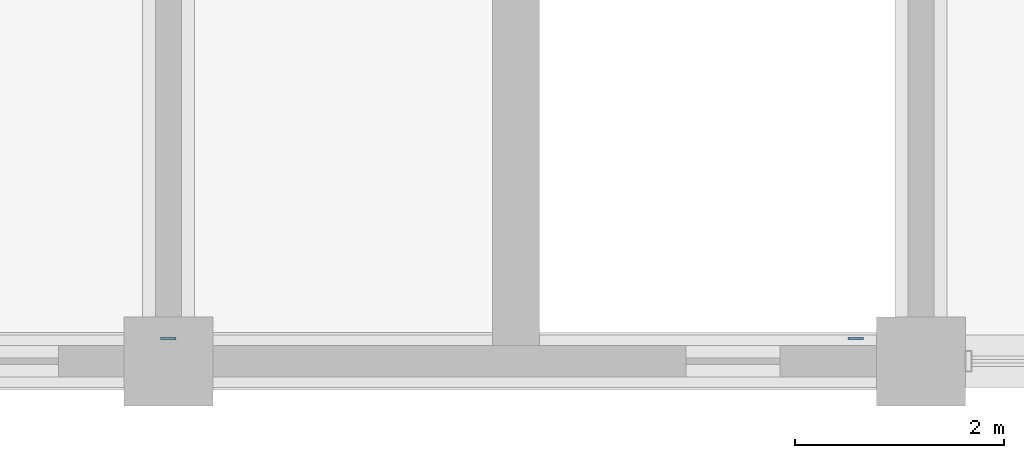
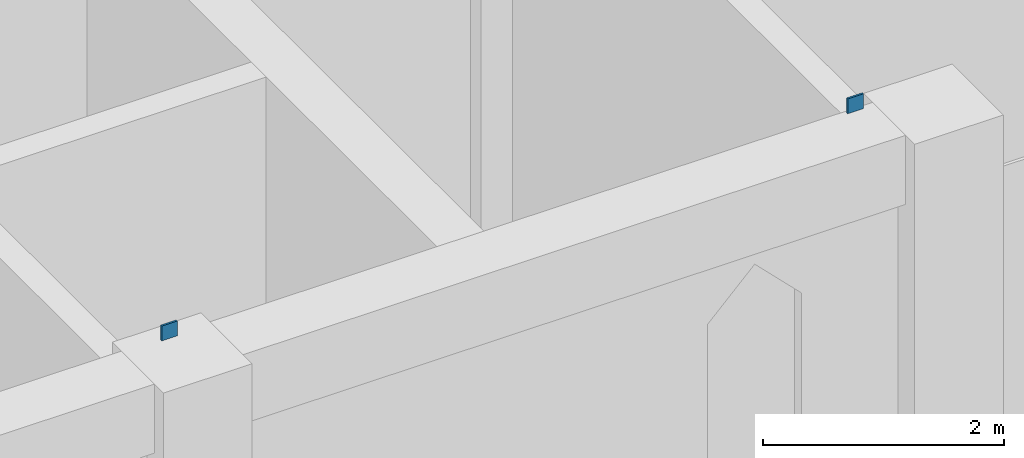
# One storey, part 42 of 48: 2 discrete accessories.
"""IFC4 building model written with IfcOpenShell, lengths in metres."""

from ifc_helpers import new_model, si_unit, direction, frame, origin, origin_2d, place, context, subcontext, project, spatial, rectangle, extrude, material, element, save


model = new_model("IFC4")

# Units and contexts
model_context = context("Model", 3, precision=1e-05, world=origin(), true_north=direction((0.0, 1.0)))
body_context = subcontext(model_context, "Body", "Model", "MODEL_VIEW")
ifc_project = project(units=[si_unit("LENGTHUNIT", "METRE"), si_unit("AREAUNIT", "SQUARE_METRE"), si_unit("VOLUMEUNIT", "CUBIC_METRE"), si_unit("PLANEANGLEUNIT", "RADIAN"), si_unit("MASSUNIT", "GRAM", prefix="KILO")], contexts=[model_context])

# Site, building, storey
site_placement = place(None, origin())
site = spatial("IfcSite", under=ifc_project, at=site_placement, CompositionType="ELEMENT")
building_placement = place(site_placement, origin())
building = spatial("IfcBuilding", under=site, at=building_placement, Name="Silangan Lancet Faculty of Sciences", CompositionType="ELEMENT")
storey_placement = place(building_placement, frame((0.0, 0.0, 6.0)))
storey = spatial("IfcBuildingStorey", under=building, at=storey_placement, Name="L01", CompositionType="ELEMENT", Elevation=6.0)

# Discrete accessories
ifc_material = material(Name="Steel STKR400", Category="steel")
for number, where, z_axis, x_axis, name in (
    (1, (64.800048828125, 0.219970703125, 5.420166015625), (0.0, 0.0, 1.0), (1.0, 0.0, 0.0), "Truss 6 bottom chord cap"),
    (2, (71.375, 0.219970703125, 5.420166015625), (0.0, 0.0, 1.0), (1.0, 0.0, 0.0), "Truss 7 bottom chord cap"),
):
    element("IfcDiscreteAccessory", number, at=place(storey_placement, frame(where, z_axis=z_axis, x_axis=x_axis)), inside=storey, material=ifc_material, Name=name, ObjectType="END CAP", PredefinedType="USERDEFINED", context=body_context, shape_type="SweptSolid", body=[
        extrude(rectangle(XDim=0.14990234375, YDim=0.02001953125, at=origin_2d()), origin(), (0.0, 0.0, 1.0), 0.14990234375),
    ])

save(model, "model.ifc")
